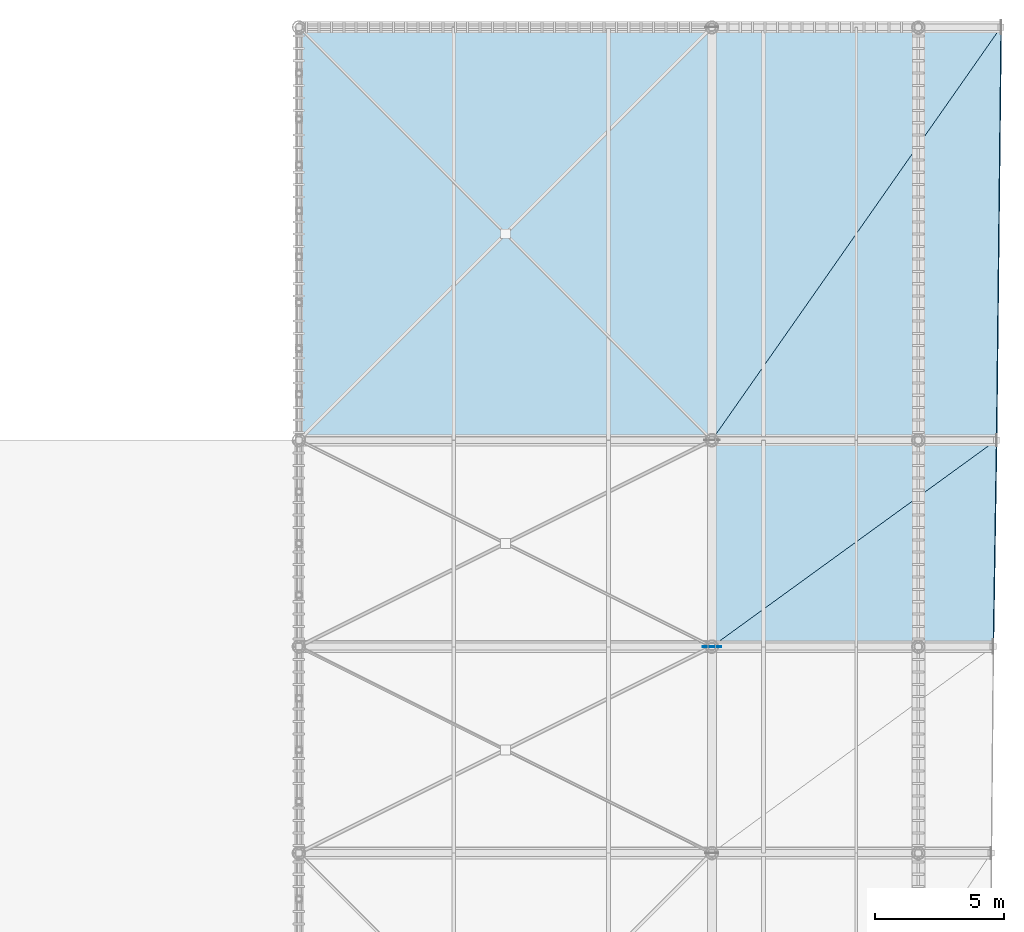
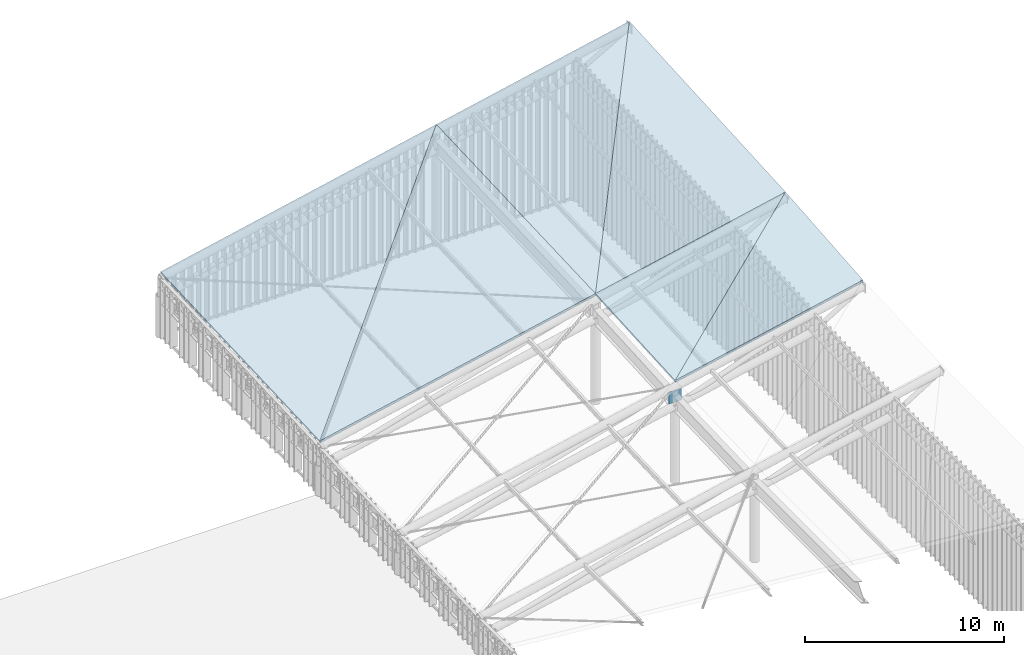
# One storey, part 19 of 25: 6 slabs, 1 plate.
"""IFC4 building model written with IfcOpenShell, lengths in metres."""

import ifcopenshell
import ifcopenshell.guid

model = None  # the IFC model being written
_history = None  # IfcOwnerHistory: only IFC2X3 demands one
_inside = {}  # id of a spatial element -> (the spatial element, [elements in it])
_under = {}  # id of a project, library or spatial element -> (it, [spatial elements below it])
_declared = {}  # id of a project -> (the project, [libraries it declares])
_typed = {}  # id of a type object -> (the type object, [elements of that type])
_made_of = {}  # id of a material, layer set ... -> (it, [elements and type objects made of it])


def new_model(schema):
    """Start an empty IFC model of exactly this schema.

    Asked for "IFC4X3", IfcOpenShell would pick the latest addendum, in which some entities
    have other attributes; the version numbers below select the first issue.
    IFC2X3 requires an IfcOwnerHistory on every rooted entity: one is made here for all.
    """
    global model, _history
    if schema == "IFC4X3":
        model = ifcopenshell.file(schema_version=(4, 3, 0, 0))
    else:
        model = ifcopenshell.file(schema=schema)
    _inside.clear()
    _under.clear()
    _declared.clear()
    _typed.clear()
    _made_of.clear()
    _history = None
    if model.schema == "IFC2X3":
        org = make("IfcOrganization", Name="unknown")
        user = make(
            "IfcPersonAndOrganization",
            ThePerson=make("IfcPerson", FamilyName="unknown"),
            TheOrganization=org,
        )
        app = make(
            "IfcApplication",
            ApplicationDeveloper=org,
            Version="unknown",
            ApplicationFullName="unknown",
            ApplicationIdentifier="unknown",
        )
        _history = make(
            "IfcOwnerHistory",
            OwningUser=user,
            OwningApplication=app,
            ChangeAction="ADDED",
            CreationDate=0,
        )
    return model


def make(cls, **values):
    """One entity of the class cls with the attributes given. An attribute that is None is left unset."""
    return model.create_entity(
        cls, **{name: value for name, value in values.items() if value is not None}
    )


def rooted(cls, **values):
    """An entity with a GlobalId (a new one), such as an element, a storey or a relation."""
    return make(cls, GlobalId=ifcopenshell.guid.new(), OwnerHistory=_history, **values)


def si_unit(unit_type, name, prefix=None):
    """IfcSIUnit, for example si_unit("LENGTHUNIT", "METRE", prefix="MILLI")."""
    return make("IfcSIUnit", UnitType=unit_type, Prefix=prefix, Name=name)


def assignment(units):
    """IfcUnitAssignment: the units of a project."""
    return None if units is None else make("IfcUnitAssignment", Units=units)


def point(xyz):
    """IfcCartesianPoint."""
    return None if xyz is None else make("IfcCartesianPoint", Coordinates=xyz)


def direction(xyz):
    """IfcDirection."""
    return None if xyz is None else make("IfcDirection", DirectionRatios=xyz)


def frame(location, z_axis=None, x_axis=None):
    """IfcAxis2Placement3D, a coordinate frame: its origin and axes. An axis left out is left unset."""
    return make(
        "IfcAxis2Placement3D",
        Location=point(location),
        Axis=direction(z_axis),
        RefDirection=direction(x_axis),
    )


def frame_2d(location, x_axis=None):
    """IfcAxis2Placement2D, a coordinate frame in the plane: its origin and x axis."""
    return make(
        "IfcAxis2Placement2D", Location=point(location), RefDirection=direction(x_axis)
    )


def origin():
    """The frame at (0, 0, 0) with its axes left unset."""
    return frame((0.0, 0.0, 0.0))


def origin_2d():
    """The frame at (0, 0) in the plane with its x axis left unset."""
    return frame_2d((0.0, 0.0))


def place(relative_to, where):
    """IfcLocalPlacement: puts the frame where relative to a parent placement (None: the world)."""
    return make(
        "IfcLocalPlacement", PlacementRelTo=relative_to, RelativePlacement=where
    )


def context(
    kind, dimensions, precision=None, world=None, true_north=None, identifier=None
):
    """IfcGeometricRepresentationContext, for example the 3D "Model" context."""
    return make(
        "IfcGeometricRepresentationContext",
        ContextIdentifier=identifier,
        ContextType=kind,
        CoordinateSpaceDimension=dimensions,
        Precision=precision,
        WorldCoordinateSystem=world,
        TrueNorth=true_north,
    )


def subcontext(parent, identifier, kind, view, scale=None):
    """IfcGeometricRepresentationSubContext, for example "Body" below "Model"."""
    return make(
        "IfcGeometricRepresentationSubContext",
        ContextIdentifier=identifier,
        ContextType=kind,
        ParentContext=parent,
        TargetScale=scale,
        TargetView=view,
    )


def project(units=None, contexts=None):
    """IfcProject with its units and contexts."""
    return rooted(
        "IfcProject",
        Name="project",
        RepresentationContexts=contexts,
        UnitsInContext=assignment(units),
    )


def spatial(cls, under=None, at=None, **own):
    """A site, building, storey or space (cls), placed at a placement, below another one or the project."""
    s = rooted(cls, ObjectPlacement=at, **own)
    if under is not None:
        _under.setdefault(under.id(), (under, []))[1].append(s)
    return s


def polyline(points):
    """IfcPolyline through the points."""
    return make("IfcPolyline", Points=[point(p) for p in points])


def profile(cls, at=None, kind="AREA", **sizes):
    """A parametric profile (cls). Its sizes go by their IFC names, for example OverallWidth=200.0."""
    return make(cls, ProfileType=kind, Position=at, **sizes)


def rectangle(**sizes):
    """IfcRectangleProfileDef."""
    return profile("IfcRectangleProfileDef", **sizes)


def outline(outer, holes=None, kind="AREA"):
    """IfcArbitraryClosedProfileDef: a profile drawn as a closed curve; with holes, ...WithVoids."""
    if holes is None:
        return make("IfcArbitraryClosedProfileDef", ProfileType=kind, OuterCurve=outer)
    return make(
        "IfcArbitraryProfileDefWithVoids",
        ProfileType=kind,
        OuterCurve=outer,
        InnerCurves=holes,
    )


def extrude(swept, where, along, depth):
    """IfcExtrudedAreaSolid: the profile swept, set in the frame where, extruded along a direction by depth."""
    return make(
        "IfcExtrudedAreaSolid",
        SweptArea=swept,
        Position=where,
        ExtrudedDirection=direction(along),
        Depth=depth,
    )


def shape(context_of_items, identifier, shape_type, items):
    """IfcShapeRepresentation: the items that make up one representation, for example the "Body"."""
    return make(
        "IfcShapeRepresentation",
        ContextOfItems=context_of_items,
        RepresentationIdentifier=identifier,
        RepresentationType=shape_type,
        Items=items,
    )


def material(Name=None, Category=None):
    """IfcMaterial."""
    return make("IfcMaterial", Name=Name, Category=Category)


def layer(
    of_material, thickness, ventilated=None, Name=None, Category=None, Priority=None
):
    """IfcMaterialLayer: one layer of a wall or slab, of a material (None: an air gap)."""
    return make(
        "IfcMaterialLayer",
        Material=of_material,
        LayerThickness=thickness,
        IsVentilated=ventilated,
        Name=Name,
        Category=Category,
        Priority=Priority,
    )


def layer_set(layers, Name=None):
    """IfcMaterialLayerSet."""
    return make("IfcMaterialLayerSet", MaterialLayers=layers, LayerSetName=Name)


def made_of(thing, what):
    """Note that an element or type object is made of a material, layer set ...; save() writes the relation."""
    if what is not None:
        _made_of.setdefault(what.id(), (what, []))[1].append(thing)
    return thing


def type_object(cls, material=None, **own):
    """A type object (cls), such as IfcWallType, which elements share."""
    return made_of(rooted(cls, **own), material)


def element(
    cls,
    number,
    at=None,
    inside=None,
    cuts=None,
    type_object=None,
    material=None,
    context=None,
    identifier="Body",
    shape_type=None,
    held_by="IfcProductDefinitionShape",
    body=None,
    shapes=None,
    **own,
):
    """One element of the class cls, such as IfcWall. Its Tag is "e" and its number.

    at: its placement. inside: the storey or other place that contains it. cuts: it is an
    opening in that element (IfcRelVoidsElement). A single representation is given by context,
    identifier, shape_type and body (its items); several are given by shapes. held_by: the class
    of the entity that holds the representations. save() writes the other relations.
    """
    e = rooted(cls, Tag="e%d" % number, ObjectPlacement=at, **own)
    if body is not None:
        shapes = [shape(context, identifier, shape_type, body)]
    if shapes is not None:
        e.Representation = make(held_by, Representations=shapes)
    if inside is not None:
        _inside.setdefault(inside.id(), (inside, []))[1].append(e)
    if cuts is not None:
        rooted(
            "IfcRelVoidsElement", RelatingBuildingElement=cuts, RelatedOpeningElement=e
        )
    if type_object is not None:
        _typed.setdefault(type_object.id(), (type_object, []))[1].append(e)
    return made_of(e, material)


def aggregate(whole, parts):
    """IfcRelAggregates: a whole, such as a stair, and the parts it consists of."""
    return rooted("IfcRelAggregates", RelatingObject=whole, RelatedObjects=parts)


def save(model, path):
    """Write the relations noted so far, then the file.

    IfcRelAggregates (storeys below a building ...), IfcRelContainedInSpatialStructure (elements
    in a storey), IfcRelDefinesByType, IfcRelAssociatesMaterial and IfcRelDeclares: one each for
    every whole, place, type object, material and project.
    """
    for whole, parts in _under.values():
        aggregate(whole, parts)
    for where, things in _inside.values():
        rooted(
            "IfcRelContainedInSpatialStructure",
            RelatedElements=things,
            RelatingStructure=where,
        )
    for kind, things in _typed.values():
        rooted("IfcRelDefinesByType", RelatedObjects=things, RelatingType=kind)
    for what, things in _made_of.values():
        rooted("IfcRelAssociatesMaterial", RelatedObjects=things, RelatingMaterial=what)
    for by, libraries in _declared.values():
        rooted("IfcRelDeclares", RelatingContext=by, RelatedDefinitions=libraries)
    model.write(path)


model = new_model("IFC4")

# Units and contexts
model_context = context("Model", 3, precision=1e-05, world=origin(), true_north=direction((0.0, 1.0)))
body_context = subcontext(model_context, "Body", "Model", "MODEL_VIEW")
ifc_project = project(units=[si_unit("LENGTHUNIT", "METRE"), si_unit("AREAUNIT", "SQUARE_METRE"), si_unit("VOLUMEUNIT", "CUBIC_METRE"), si_unit("PLANEANGLEUNIT", "RADIAN"), si_unit("MASSUNIT", "GRAM", prefix="KILO")], contexts=[model_context])

# Site, building, storey
site_placement = place(None, origin())
site = spatial("IfcSite", under=ifc_project, at=site_placement, CompositionType="ELEMENT")
building_placement = place(site_placement, origin())
building = spatial("IfcBuilding", under=site, at=building_placement, Name="Haebicheon Civic Stadium", CompositionType="ELEMENT")
storey_placement = place(building_placement, frame((0.0, 0.0, 31.199951171875)))
storey = spatial("IfcBuildingStorey", under=building, at=storey_placement, Name="RF", CompositionType="ELEMENT", Elevation=31.199951171875)

# Plate
ifc_material_1 = material(Name="White painted steel SM490", Category="steel")
ifc_layer_1 = layer(ifc_material_1, 0.031982421875, Name="White painted steel SM490")
ifc_layer_set_1 = layer_set([ifc_layer_1], Name="White painted steel SM490")
plate_type = type_object("IfcPlateType", Name="PLT-GUS-32", PredefinedType="USERDEFINED", material=ifc_layer_set_1)
plate_placement = place(storey_placement, frame((64.0, 112.0, 4.87109375), z_axis=(0.0, 0.0, 1.0), x_axis=(1.0, 0.0, 0.0)))
element("IfcPlate", 1, at=plate_placement, inside=storey, type_object=plate_type, material=ifc_layer_set_1, Name="CAN-WEST heel node gusset plate KN-T07", ObjectType="GUSSET PLATE", PredefinedType="USERDEFINED", context=body_context, shape_type="SweptSolid", body=[
    extrude(rectangle(XDim=0.719970703125, YDim=0.031982421875, at=origin_2d()), origin(), (0.0, 0.0, 1.0), 0.719970703125),
])

# Slabs
ifc_material_2 = material(Name="White painted steel SM490", Category="steel")
ifc_layer_2 = layer(ifc_material_2, 0.159912109375, Name="White painted steel SM490")
ifc_layer_set_2 = layer_set([ifc_layer_2], Name="White painted steel SM490")
slab_type = type_object("IfcSlabType", Name="SLB-CAN-160", PredefinedType="ROOF", material=ifc_layer_set_2)
slab_1_placement = place(storey_placement, frame((64.0, 112.0, 6.18505859375), z_axis=(-0.209794724016, -0.05870369796, 0.975981582624), x_axis=(0.977667618447, 0.0, 0.210157150343)))
element("IfcSlab", 2, at=slab_1_placement, inside=storey, type_object=slab_type, material=ifc_layer_set_2, Name="CAN-WEST curled canopy facet 7.CT-A", PredefinedType="ROOF", context=body_context, shape_type="SweptSolid", body=[
    extrude(outline(polyline([(0.0, 0.0), (11.14888346314058, 2.7755575615628914e-17), (11.377863651253257, 8.013820226554564), (0.0, 0.0)])), origin(), (0.0, 0.0, -1.0), 0.159912109375),
])
slab_2_placement = place(storey_placement, frame((64.0, 112.0, 6.18505859375), z_axis=(-0.209814525523, -0.05867549661, 0.975979021792), x_axis=(0.792201424619, 0.574845127816, 0.204865765461)))
element("IfcSlab", 3, at=slab_2_placement, inside=storey, type_object=slab_type, material=ifc_layer_set_2, Name="CAN-WEST curled canopy facet 7.CT-B", PredefinedType="ROOF", context=body_context, shape_type="SweptSolid", body=[
    extrude(outline(polyline([(0.0, 0.0), (13.916791867741832, 9.992007221626409e-16), (4.697292652888592, 6.493593873890457), (0.0, 0.0)])), origin(), (0.0, 0.0, -1.0), 0.159912109375),
])
slab_3_placement = place(storey_placement, frame((48.0, 120.0, 3.22607421875), z_axis=(-0.210015219687, -0.041153443687, 0.976831613725), x_axis=(0.977659849808, 0.0, 0.210193287411)))
element("IfcSlab", 4, at=slab_3_placement, inside=storey, type_object=slab_type, material=ifc_layer_set_2, Name="CAN-WEST curled canopy facet 8.BS-A", PredefinedType="ROOF", context=body_context, shape_type="SweptSolid", body=[
    extrude(outline(polyline([(0.0, 0.0), (16.36561018961509, 0.0), (16.507295655079712, 16.013566081549758), (0.0, 0.0)])), origin(), (0.0, 0.0, -1.0), 0.159912109375),
])
slab_4_placement = place(storey_placement, frame((48.0, 120.0, 3.22607421875), z_axis=(-0.210015219687, -0.041153443687, 0.976831613725), x_axis=(0.695701421524, 0.695701421524, 0.178882822481)))
element("IfcSlab", 5, at=slab_4_placement, inside=storey, type_object=slab_type, material=ifc_layer_set_2, Name="CAN-WEST curled canopy facet 8.BS-B", PredefinedType="ROOF", context=body_context, shape_type="SweptSolid", body=[
    extrude(outline(polyline([(0.0, 0.0), (22.998371866120753, 4.440892098500626e-16), (11.251802693816586, 11.395231878233401), (0.0, 0.0)])), origin(), (0.0, 0.0, -1.0), 0.159912109375),
])
slab_5_placement = place(storey_placement, frame((64.0, 120.0, 6.666015625), z_axis=(-0.209998471215, -0.04116639694, 0.976834668637), x_axis=(0.97766342944, 0.0, 0.210176636986)))
element("IfcSlab", 6, at=slab_5_placement, inside=storey, type_object=slab_type, material=ifc_layer_set_2, Name="CAN-WEST curled canopy facet 8.CT-A", PredefinedType="ROOF", context=body_context, shape_type="SweptSolid", body=[
    extrude(outline(polyline([(0.0, 0.0), (11.27678709436811, 0.0), (11.597553635471536, 16.013574633751258), (0.0, 0.0)])), origin(), (0.0, 0.0, -1.0), 0.159912109375),
])
slab_6_placement = place(storey_placement, frame((64.0, 120.0, 6.666015625), z_axis=(-0.2100160949, -0.041153435774, 0.97683142589), x_axis=(0.566450917092, 0.809219123761, 0.155877414221)))
element("IfcSlab", 7, at=slab_6_placement, inside=storey, type_object=slab_type, material=ifc_layer_set_2, Name="CAN-WEST curled canopy facet 8.CT-B", PredefinedType="ROOF", context=body_context, shape_type="SweptSolid", body=[
    extrude(outline(polyline([(0.0, 0.0), (19.772147654677294, -3.3306690738754696e-16), (13.05257862194671, 9.27817680027626), (0.0, 0.0)])), origin(), (0.0, 0.0, -1.0), 0.159912109375),
])

save(model, "model.ifc")
